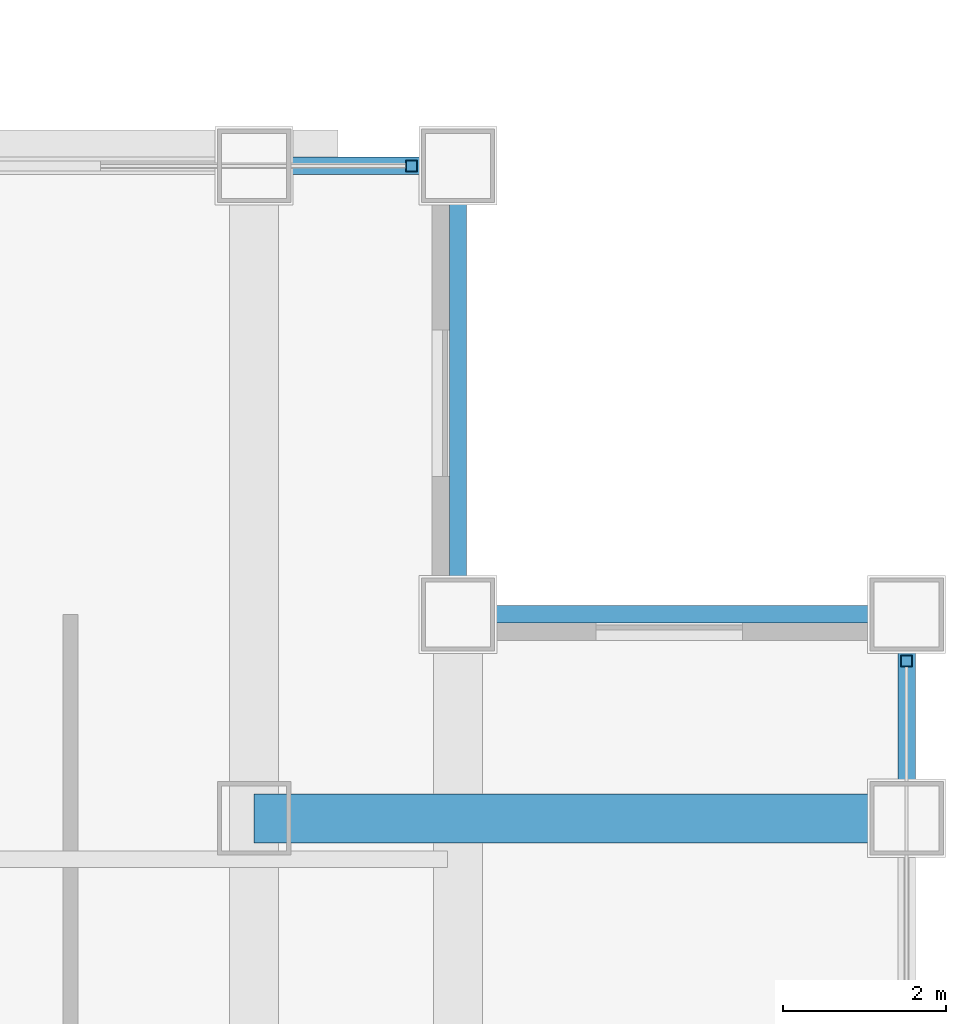
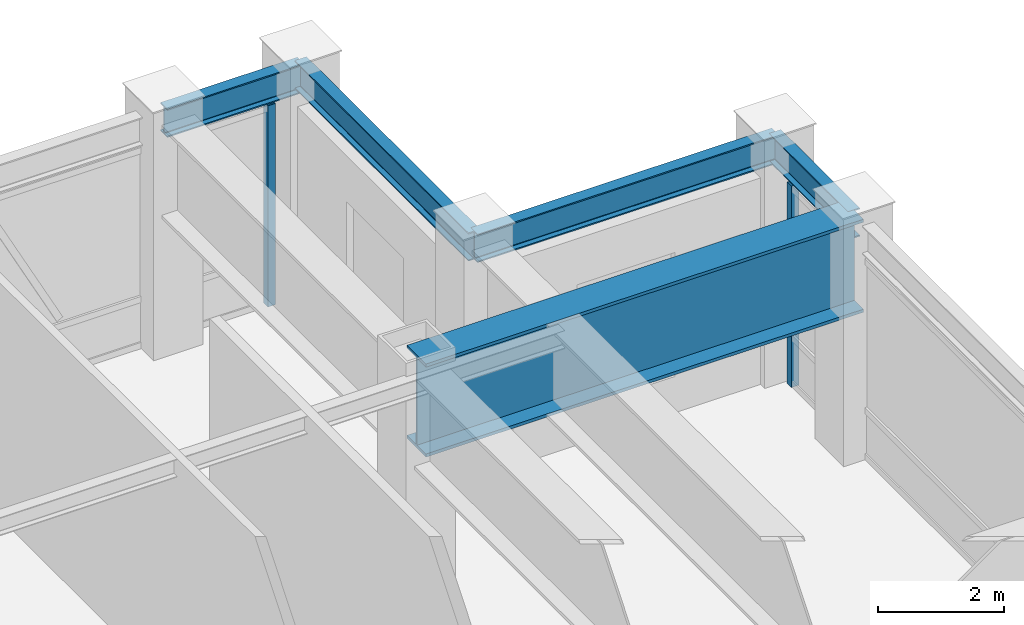
# One storey, part 20 of 31: 5 beams, 2 members, 2 elements without a shape of their own.
"""IFC4 building model written with IfcOpenShell, lengths in metres."""

from ifc_helpers import new_model, si_unit, direction, frame, origin, origin_2d, place, context, subcontext, project, spatial, hollow_rectangle, i_section, extrude, source, transform, mapped, material, material_profile, profile_set, type_object, element, aggregate, save


model = new_model("IFC4")

# Units and contexts
model_context = context("Model", 3, precision=1e-05, world=origin(), true_north=direction((0.0, 1.0)))
body_context = subcontext(model_context, "Body", "Model", "MODEL_VIEW")
ifc_project = project(units=[si_unit("LENGTHUNIT", "METRE"), si_unit("AREAUNIT", "SQUARE_METRE"), si_unit("VOLUMEUNIT", "CUBIC_METRE"), si_unit("PLANEANGLEUNIT", "RADIAN"), si_unit("MASSUNIT", "GRAM", prefix="KILO")], contexts=[model_context])

# Site, building, storey
site_placement = place(None, origin())
site = spatial("IfcSite", under=ifc_project, at=site_placement, CompositionType="ELEMENT")
building_placement = place(site_placement, origin())
building = spatial("IfcBuilding", under=site, at=building_placement, Name="Khorayat Bourse Tower", CompositionType="ELEMENT")
storey_placement = place(building_placement, frame((0.0, 0.0, 321.5)))
storey = spatial("IfcBuildingStorey", under=building, at=storey_placement, Name="L76", CompositionType="ELEMENT", Elevation=321.5)

# Beams
ifc_material_1 = material(Name="Steel EN 10025-4 S460M", Category="steel")
ifc_material_profile_1 = material_profile(ifc_material_1, i_section(OverallWidth=0.60009765625, OverallDepth=1.800048828125, WebThickness=0.031982421875, FlangeThickness=0.06005859375, at=origin_2d()), Name="PG 1800x600x32x60")
ifc_profile_set_1 = profile_set([ifc_material_profile_1], Name="Steel EN 10025-4 S460M")
beam_type_1 = type_object("IfcBeamType", Name="BM-TR-1800", PredefinedType="BEAM", material=ifc_profile_set_1)
shared_shape_1 = source(origin(), body_context, "Body", "SweptSolid", [
    extrude(i_section(OverallWidth=0.60009765625, OverallDepth=1.800048828125, WebThickness=0.031982421875, FlangeThickness=0.06005859375, at=origin_2d()), origin(), (0.0, 0.0, 1.0), 8.0),
])
beam_placement = place(storey_placement, frame((20.0, 20.0, 3.639892578125), z_axis=(1.0, 0.0, 0.0), x_axis=(0.0, 1.0, 0.0)))
element("IfcBeam", 1, at=beam_placement, inside=storey, type_object=beam_type_1, Name="L76 BM-TR-1800 BM-L76-CNRX-094", PredefinedType="BEAM", context=body_context, shape_type="MappedRepresentation", body=[
    mapped(shared_shape_1, transform((0.0, 0.0, 0.0), scale=1.0)),
])
ifc_material_2 = material(Name="Steel ASTM A992 Grade 50", Category="steel")
ifc_material_profile_2 = material_profile(ifc_material_2, i_section(OverallWidth=0.214111328125, OverallDepth=0.549072265625, WebThickness=0.0146484375, FlangeThickness=0.023681640625, FilletRadius=0.013916015625, at=origin_2d()), Name="W530X138")
ifc_profile_set_2 = profile_set([ifc_material_profile_2], Name="Steel ASTM A992 Grade 50")
beam_type_2 = type_object("IfcBeamType", Name="BM-SPAN-530", PredefinedType="SPANDREL", material=ifc_profile_set_2)
shared_shape_2 = source(origin(), body_context, "Body", "SweptSolid", [
    extrude(i_section(OverallWidth=0.214111328125, OverallDepth=0.549072265625, WebThickness=0.0146484375, FlangeThickness=0.023681640625, FilletRadius=0.013916015625, at=origin_2d()), origin(), (0.0, 0.0, 1.0), 2.5),
])
for number, where, z_axis, x_axis, name in (
    (2, (28.0, 20.0, 4.265380859375), (0.0, 1.0, 0.0), (-1.0, 0.0, 0.0), "L76 BM-SPAN-530 BM-L76-SPN-041"),
    (3, (20.0, 28.0, 4.2255859375), (1.0, 0.0, 0.0), (0.0, 1.0, 0.0), "L76 BM-SPAN-530 BM-L76-SPN-044"),
):
    element("IfcBeam", number, at=place(storey_placement, frame(where, z_axis=z_axis, x_axis=x_axis)), inside=storey, type_object=beam_type_2, Name=name, PredefinedType="SPANDREL", context=body_context, shape_type="MappedRepresentation", body=[
        mapped(shared_shape_2, transform((0.0, 0.0, 0.0), scale=1.0)),
    ])
shared_shape_3 = source(origin(), body_context, "Body", "SweptSolid", [
    extrude(i_section(OverallWidth=0.214111328125, OverallDepth=0.549072265625, WebThickness=0.0146484375, FlangeThickness=0.023681640625, FilletRadius=0.013916015625, at=origin_2d()), origin(), (0.0, 0.0, 1.0), 5.5),
])
for number, where, z_axis, x_axis, name in (
    (4, (22.5, 22.5, 4.265380859375), (1.0, 0.0, 0.0), (0.0, 1.0, 0.0), "L76 BM-SPAN-530 BM-L76-SPN-042"),
    (5, (22.5, 22.5, 4.265380859375), (0.0, 1.0, 0.0), (-1.0, 0.0, 0.0), "L76 BM-SPAN-530 BM-L76-SPN-043"),
):
    element("IfcBeam", number, at=place(storey_placement, frame(where, z_axis=z_axis, x_axis=x_axis)), inside=storey, type_object=beam_type_2, Name=name, PredefinedType="SPANDREL", context=body_context, shape_type="MappedRepresentation", body=[
        mapped(shared_shape_3, transform((0.0, 0.0, 0.0), scale=1.0)),
    ])

# Curtain wall, member
ifc_material_3 = material(Name="Aluminium EN AW-6063 T6", Category="aluminium")
curtain_wall_type = type_object("IfcCurtainWallType", Name="CW-SYS-05", PredefinedType="NOTDEFINED", material=ifc_material_3)
curtain_wall_1_placement = place(storey_placement, origin())
curtain_wall_1 = element("IfcCurtainWall", 6, at=curtain_wall_1_placement, inside=storey, type_object=curtain_wall_type, Name="L76 Curtain Wall CW-L76-N2", PredefinedType="NOTDEFINED")
ifc_material_profile_3 = material_profile(ifc_material_3, hollow_rectangle(XDim=0.139892578125, YDim=0.139892578125, WallThickness=0.006103515625, at=origin_2d()), Name="ALU 140x140x6")
ifc_profile_set_3 = profile_set([ifc_material_profile_3], Name="Aluminium EN AW-6063 T6")
member_type = type_object("IfcMemberType", Name="CWM-VERT-140", PredefinedType="MULLION", material=ifc_profile_set_3)
shared_shape_4 = source(origin(), body_context, "Body", "SweptSolid", [
    extrude(hollow_rectangle(XDim=0.139892578125, YDim=0.139892578125, WallThickness=0.006103515625, at=origin_2d()), origin(), (0.0, 0.0, 1.0), 3.889892578125),
])
member_1_placement = place(storey_placement, frame((21.929931640625, 28.0, 0.0), z_axis=(0.0, 0.0, 1.0), x_axis=(0.0, 1.0, 0.0)))
member_1 = element("IfcMember", 7, at=member_1_placement, type_object=member_type, Name="CW-L76-N2 Vertical Mullion 3", PredefinedType="MULLION", context=body_context, shape_type="MappedRepresentation", body=[
    mapped(shared_shape_4, transform((0.0, 0.0, 0.0), scale=1.0)),
])
aggregate(curtain_wall_1, [member_1])

curtain_wall_2_placement = place(storey_placement, origin())
curtain_wall_2 = element("IfcCurtainWall", 8, at=curtain_wall_2_placement, inside=storey, type_object=curtain_wall_type, Name="L76 Curtain Wall CW-L76-E1", PredefinedType="NOTDEFINED")
member_2_placement = place(storey_placement, frame((28.0, 21.929931640625, 0.0), z_axis=(0.0, 0.0, 1.0), x_axis=(-1.0, 0.0, 0.0)))
member_2 = element("IfcMember", 9, at=member_2_placement, type_object=member_type, Name="CW-L76-E1 Vertical Mullion 3", PredefinedType="MULLION", context=body_context, shape_type="MappedRepresentation", body=[
    mapped(shared_shape_4, transform((0.0, 0.0, 0.0), scale=1.0)),
])
aggregate(curtain_wall_2, [member_2])

save(model, "model.ifc")
